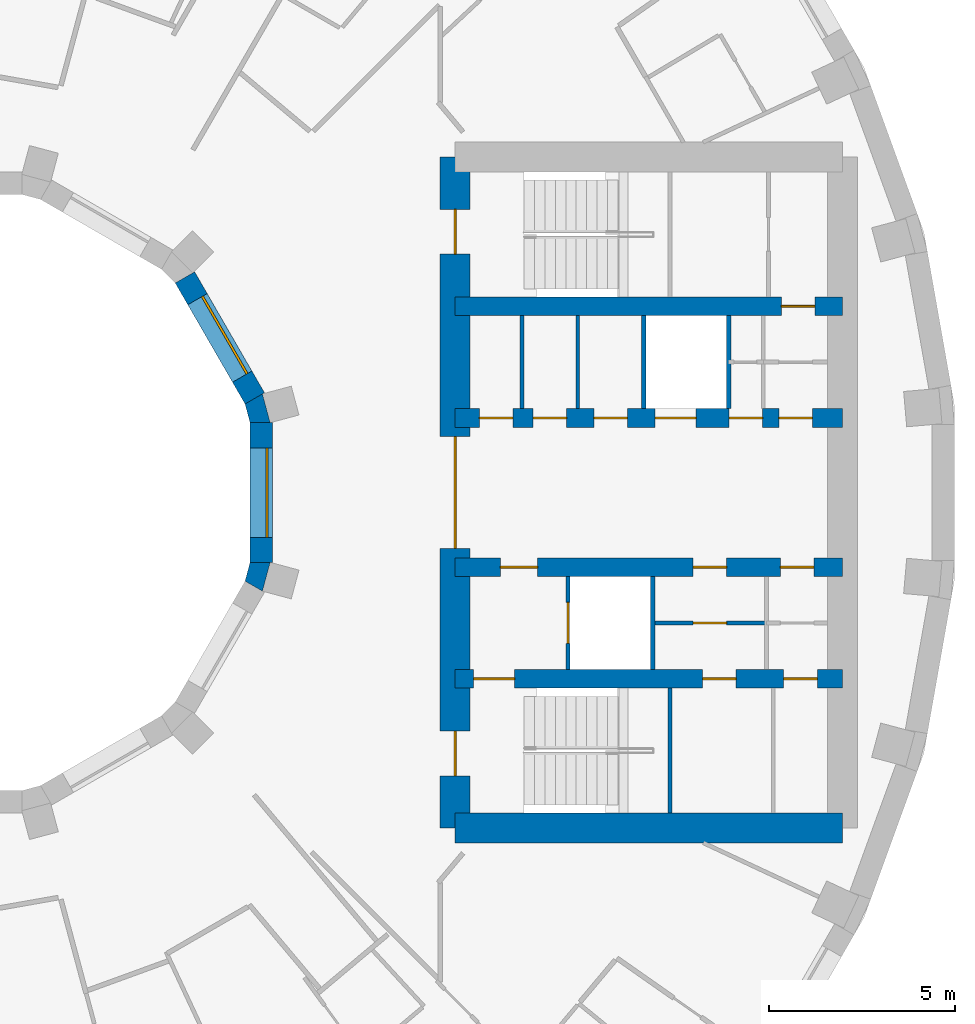
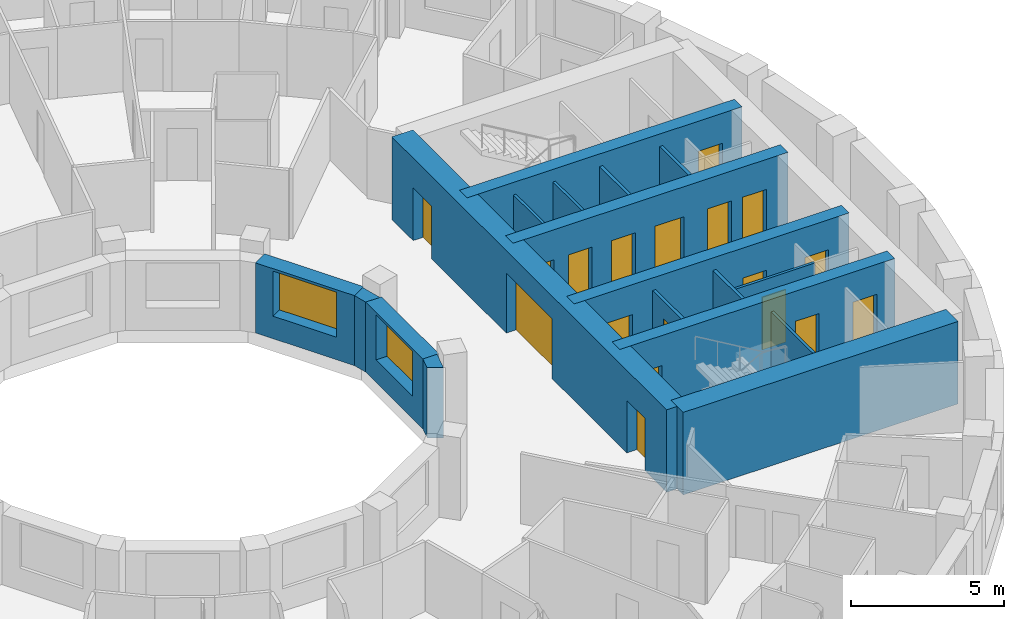
# One storey, part 9 of 16: 18 doors, 18 walls, 2 windows, 20 openings.
"""IFC4 building model written with IfcOpenShell, lengths in metres."""

from ifc_helpers import new_model, si_unit, direction, frame, frame_2d, origin, place, context, subcontext, project, spatial, polyline, rectangle, outline, extrude, material, layer, layer_set, type_object, element, fill, save


model = new_model("IFC4")

# Units and contexts
model_context = context("Model", 3, precision=1e-05, world=origin(), true_north=direction((0.0, 1.0)))
body_context = subcontext(model_context, "Body", "Model", "MODEL_VIEW")
ifc_project = project(units=[si_unit("LENGTHUNIT", "METRE"), si_unit("AREAUNIT", "SQUARE_METRE"), si_unit("VOLUMEUNIT", "CUBIC_METRE"), si_unit("PLANEANGLEUNIT", "RADIAN"), si_unit("MASSUNIT", "GRAM", prefix="KILO")], contexts=[model_context])

# Site, building, storey
site_placement = place(None, origin())
site = spatial("IfcSite", under=ifc_project, at=site_placement, CompositionType="ELEMENT")
building_placement = place(site_placement, origin())
building = spatial("IfcBuilding", under=site, at=building_placement, Name="Saqina Gate Tower", CompositionType="ELEMENT")
storey_placement = place(building_placement, frame((0.0, 0.0, 124.89990234375)))
storey = spatial("IfcBuildingStorey", under=building, at=storey_placement, Name="L35", CompositionType="ELEMENT", Elevation=124.89990234375)

# Walls
ifc_material_1 = material(Name="Gypsum board on steel studs", Category="steel")
ifc_layer_1 = layer(ifc_material_1, 0.10009765625)
ifc_layer_set_1 = layer_set([ifc_layer_1], Name="CORE PARTITION")
wall_type_1 = type_object("IfcWallType", Name="CORE PARTITION", PredefinedType="PARTITIONING", material=ifc_layer_set_1)
for number, where, z_axis, x_axis, name in (
    (1, (15.298095703125, 2.25, 0.0), (0.0, 0.0, 1.0), (0.0, 1.0, 0.0), "L35-CP-E01"),
    (2, (16.789306640625, 2.25, 0.0), (0.0, 0.0, 1.0), (0.0, 1.0, 0.0), "L35-CP-E02"),
):
    element("IfcWall", number, at=place(storey_placement, frame(where, z_axis=z_axis, x_axis=x_axis)), inside=storey, type_object=wall_type_1, Name=name, PredefinedType="PARTITIONING", context=body_context, shape_type="SweptSolid", body=[
        extrude(rectangle(XDim=2.5, YDim=0.10009765625, at=frame_2d((1.25, 0.0))), origin(), (0.0, 0.0, 1.0), 2.800048828125),
    ])

# Wall, opening, door
wall_1_placement = place(storey_placement, frame((18.81005859375, -3.5, 0.0), z_axis=(0.0, 0.0, 1.0), x_axis=(1.0, 0.0, 0.0)))
wall_1 = element("IfcWall", 3, at=wall_1_placement, inside=storey, type_object=wall_type_1, Name="L35-CP-E11", PredefinedType="PARTITIONING", context=body_context, shape_type="SweptSolid", body=[
    extrude(rectangle(XDim=3.04833984375, YDim=0.10009765625, at=frame_2d((1.524169921875, 0.0))), origin(), (0.0, 0.0, 1.0), 2.800048828125),
])
opening_1_placement = place(wall_1_placement, frame((1.07421875, 0.0, 0.0)))
opening_1 = element("IfcOpeningElement", 4, at=opening_1_placement, cuts=wall_1, Name="Opening G10-D103", PredefinedType="OPENING", context=body_context, shape_type="SweptSolid", body=[
    extrude(rectangle(XDim=0.89990234375, YDim=2.10009765625, at=frame_2d((0.449951171875, 1.050048828125))), frame((0.0, 0.06201171875, 0.0), z_axis=(0.0, -1.0, 0.0), x_axis=(1.0, 0.0, 0.0)), (0.0, 0.0, 1.0), 0.1240234375),
])
ifc_material_2 = material(Name="Steel-framed fire door leaf, EI 60", Category="steel")
door_type_1 = type_object("IfcDoorType", Name="SERVICE ROOM DOOR 900", OperationType="SINGLE_SWING_LEFT", PredefinedType="DOOR", material=ifc_material_2)
door_1_placement = place(opening_1_placement, frame((0.89990234375, 0.0, 0.0), z_axis=(0.0, 0.0, 1.0), x_axis=(-1.0, 0.0, 0.0)))
door_1 = element("IfcDoor", 5, at=door_1_placement, inside=storey, type_object=door_type_1, Name="L35-CD-E14", OperationType="SINGLE_SWING_RIGHT", OverallHeight=2.10009765625, OverallWidth=0.89990234375, PredefinedType="DOOR", context=body_context, shape_type="SweptSolid", body=[
    extrude(rectangle(XDim=0.89990234375, YDim=2.10009765625, at=frame_2d((0.449951171875, 1.050048828125))), frame((0.0, 0.02490234375, 0.0), z_axis=(0.0, -1.0, 0.0), x_axis=(1.0, 0.0, 0.0)), (0.0, 0.0, 1.0), 0.050048828125),
])
fill(opening_1, door_1)

# Wall, opening, window
ifc_material_3 = material(Name="Glazed ceramic tile", Category="ceramic")
ifc_layer_2 = layer(ifc_material_3, 0.60009765625)
ifc_layer_set_2 = layer_set([ifc_layer_2], Name="IW-TILE")
wall_type_2 = type_object("IfcWallType", Name="IW-TILE", PredefinedType="SOLIDWALL", material=ifc_layer_set_2)
wall_2_placement = place(storey_placement, frame((8.124755859375, 2.52734375, 0.0), z_axis=(0.0, 0.0, 1.0), x_axis=(-0.499964958637, 0.86604563398, 0.0)))
wall_2 = element("IfcWall", 6, at=wall_2_placement, inside=storey, type_object=wall_type_2, Name="Well wall L35 facet 1", PredefinedType="SOLIDWALL", context=body_context, shape_type="SweptSolid", body=[
    extrude(rectangle(XDim=3.747314453125, YDim=0.60009765625, at=frame_2d((1.87353515625, 0.0))), origin(), (0.0, 0.0, 1.0), 2.800048828125),
])
opening_2_placement = place(wall_2_placement, frame((0.673583984375, 0.0, 0.89990234375)))
opening_2 = element("IfcOpeningElement", 7, at=opening_2_placement, cuts=wall_2, Name="Opening G10-W23", PredefinedType="OPENING", context=body_context, shape_type="SweptSolid", body=[
    extrude(rectangle(XDim=2.39990234375, YDim=1.800048828125, at=frame_2d((1.199951171875, 0.89990234375))), frame((0.0, 0.31201171875, 0.0), z_axis=(0.0, -1.0, 0.0), x_axis=(1.0, 0.0, 0.0)), (0.0, 0.0, 1.0), 0.6240234375),
])
ifc_material_4 = material(Name="Aluminium glazing", Category="aluminium")
window_type = type_object("IfcWindowType", Name="WN-W", PartitioningType="SINGLE_PANEL", PredefinedType="WINDOW", material=ifc_material_4)
window_1_placement = place(opening_2_placement, origin())
window_1 = element("IfcWindow", 8, at=window_1_placement, inside=storey, type_object=window_type, Name="Well window L35 facet 1", OverallHeight=1.800048828125, OverallWidth=2.39990234375, PartitioningType="SINGLE_PANEL", PredefinedType="WINDOW", context=body_context, shape_type="SweptSolid", body=[
    extrude(rectangle(XDim=2.39990234375, YDim=1.800048828125, at=frame_2d((1.199951171875, 0.89990234375))), frame((0.0, -0.119873046875, 0.0), z_axis=(0.0, -1.0, 0.0), x_axis=(1.0, 0.0, 0.0)), (0.0, 0.0, 1.0), 0.06005859375),
])
fill(opening_2, window_1)

wall_3_placement = place(storey_placement, frame((8.300048828125, -1.873779296875, 0.0), z_axis=(0.0, 0.0, 1.0), x_axis=(0.0, 1.0, 0.0)))
wall_3 = element("IfcWall", 9, at=wall_3_placement, inside=storey, type_object=wall_type_2, Name="Well wall L35 facet 12", PredefinedType="SOLIDWALL", context=body_context, shape_type="SweptSolid", body=[
    extrude(rectangle(XDim=3.74755859375, YDim=0.60009765625, at=frame_2d((1.873779296875, 0.0))), origin(), (0.0, 0.0, 1.0), 2.800048828125),
])
opening_3_placement = place(wall_3_placement, frame((0.673583984375, 0.0, 0.89990234375)))
opening_3 = element("IfcOpeningElement", 10, at=opening_3_placement, cuts=wall_3, Name="Opening G10-W34", PredefinedType="OPENING", context=body_context, shape_type="SweptSolid", body=[
    extrude(rectangle(XDim=2.39990234375, YDim=1.800048828125, at=frame_2d((1.199951171875, 0.89990234375))), frame((0.0, 0.31201171875, 0.0), z_axis=(0.0, -1.0, 0.0), x_axis=(1.0, 0.0, 0.0)), (0.0, 0.0, 1.0), 0.6240234375),
])
window_2_placement = place(opening_3_placement, origin())
window_2 = element("IfcWindow", 11, at=window_2_placement, inside=storey, type_object=window_type, Name="Well window L35 facet 12", OverallHeight=1.800048828125, OverallWidth=2.39990234375, PartitioningType="SINGLE_PANEL", PredefinedType="WINDOW", context=body_context, shape_type="SweptSolid", body=[
    extrude(rectangle(XDim=2.39990234375, YDim=1.800048828125, at=frame_2d((1.199951171875, 0.89990234375))), frame((0.0, -0.119873046875, 0.0), z_axis=(0.0, -1.0, 0.0), x_axis=(1.0, 0.0, 0.0)), (0.0, 0.0, 1.0), 0.06005859375),
])
fill(opening_3, window_2)

# Walls
ifc_material_5 = material(Name="Autoclaved aerated concrete block", Category="concrete")
ifc_layer_3 = layer(ifc_material_5, 0.1201171875)
ifc_layer_set_3 = layer_set([ifc_layer_3], Name="SHAFT PARTITION")
wall_type_3 = type_object("IfcWallType", Name="SHAFT PARTITION", PredefinedType="PARTITIONING", material=ifc_layer_set_3)
for number, where, z_axis, x_axis, name in (
    (12, (18.56005859375, 2.25, 0.0), (0.0, 0.0, 1.0), (0.0, 1.0, 0.0), "L35-CP-E03"),
    (13, (20.840087890625, 2.25, 0.0), (0.0, 0.0, 1.0), (0.0, 1.0, 0.0), "L35-CP-E04"),
):
    element("IfcWall", number, at=place(storey_placement, frame(where, z_axis=z_axis, x_axis=x_axis)), inside=storey, type_object=wall_type_3, Name=name, PredefinedType="PARTITIONING", context=body_context, shape_type="SweptSolid", body=[
        extrude(rectangle(XDim=2.5, YDim=0.1201171875, at=frame_2d((1.25, 0.0))), origin(), (0.0, 0.0, 1.0), 2.800048828125),
    ])

# Wall, opening, door
wall_4_placement = place(storey_placement, frame((16.530029296875, -4.75, 0.0), z_axis=(0.0, 0.0, 1.0), x_axis=(0.0, 1.0, 0.0)))
wall_4 = element("IfcWall", 14, at=wall_4_placement, inside=storey, type_object=wall_type_3, Name="L35-CP-E06", PredefinedType="PARTITIONING", context=body_context, shape_type="SweptSolid", body=[
    extrude(rectangle(XDim=2.5, YDim=0.1201171875, at=frame_2d((1.25, 0.0))), origin(), (0.0, 0.0, 1.0), 2.800048828125),
])
opening_4_placement = place(wall_4_placement, frame((0.699951171875, 0.0, 0.0)))
opening_4 = element("IfcOpeningElement", 15, at=opening_4_placement, cuts=wall_4, Name="Opening G10-LD2", PredefinedType="OPENING", context=body_context, shape_type="SweptSolid", body=[
    extrude(rectangle(XDim=1.10009765625, YDim=2.10009765625, at=frame_2d((0.550048828125, 1.050048828125))), frame((0.0, 0.072021484375, 0.0), z_axis=(0.0, -1.0, 0.0), x_axis=(1.0, 0.0, 0.0)), (0.0, 0.0, 1.0), 0.14404296875),
])
ifc_material_6 = material(Name="Stainless steel", Category="steel")
door_type_2 = type_object("IfcDoorType", Name="LANDING DOOR", OperationType="DOUBLE_DOOR_SLIDING", PredefinedType="DOOR", material=ifc_material_6)
door_2_placement = place(opening_4_placement, origin())
door_2 = element("IfcDoor", 16, at=door_2_placement, inside=storey, type_object=door_type_2, Name="LANDING DOOR FF1", OperationType="DOUBLE_DOOR_SLIDING", OverallHeight=2.10009765625, OverallWidth=1.10009765625, PredefinedType="DOOR", context=body_context, shape_type="SweptSolid", body=[
    extrude(rectangle(XDim=1.10009765625, YDim=2.10009765625, at=frame_2d((0.550048828125, 1.050048828125))), frame((0.0, 0.02490234375, 0.0), z_axis=(0.0, -1.0, 0.0), x_axis=(1.0, 0.0, 0.0)), (0.0, 0.0, 1.0), 0.050048828125),
])
fill(opening_4, door_2)

# Walls
wall_5_placement = place(storey_placement, frame((18.81005859375, -4.75, 0.0), z_axis=(0.0, 0.0, 1.0), x_axis=(0.0, 1.0, 0.0)))
element("IfcWall", 17, at=wall_5_placement, inside=storey, type_object=wall_type_3, Name="L35-CP-E07", PredefinedType="PARTITIONING", context=body_context, shape_type="SweptSolid", body=[
    extrude(rectangle(XDim=2.5, YDim=0.1201171875, at=frame_2d((1.25, 0.0))), origin(), (0.0, 0.0, 1.0), 2.800048828125),
])
ifc_material_7 = material(Name="Autoclaved aerated concrete block", Category="concrete")
ifc_layer_4 = layer(ifc_material_7, 0.10009765625)
ifc_layer_set_4 = layer_set([ifc_layer_4], Name="STAIR ENCLOSURE WALL")
wall_type_4 = type_object("IfcWallType", Name="STAIR ENCLOSURE WALL", PredefinedType="PARTITIONING", material=ifc_layer_set_4)
wall_6_placement = place(storey_placement, frame((19.27001953125, -8.60009765625, 0.0), z_axis=(0.0, 0.0, 1.0), x_axis=(0.0, 1.0, 0.0)))
element("IfcWall", 18, at=wall_6_placement, inside=storey, type_object=wall_type_4, Name="L35-CP-E15", PredefinedType="PARTITIONING", context=body_context, shape_type="SweptSolid", body=[
    extrude(rectangle(XDim=3.35009765625, YDim=0.10009765625, at=frame_2d((1.675048828125, 0.0))), origin(), (0.0, 0.0, 1.0), 2.800048828125),
])

# Wall, opening, door
ifc_material_8 = material(Name="Concrete C70/85", Category="concrete")
ifc_layer_5 = layer(ifc_material_8, 0.5)
ifc_layer_set_5 = layer_set([ifc_layer_5], Name="Concrete C70/85")
wall_type_5 = type_object("IfcWallType", Name="STR-CORE WALL-B-I", PredefinedType="SHEAR", material=ifc_layer_set_5)
wall_7_placement = place(storey_placement, frame((13.5, 5.0, 0.0), z_axis=(0.0, 0.0, 1.0), x_axis=(1.0, 0.0, 0.0)))
wall_7 = element("IfcWall", 19, at=wall_7_placement, inside=storey, type_object=wall_type_5, Name="CORE WALL L35 E-X1", PredefinedType="SHEAR", context=body_context, shape_type="SweptSolid", body=[
    extrude(rectangle(XDim=10.39990234375, YDim=0.5, at=frame_2d((5.199951171875, 0.0))), origin(), (0.0, 0.0, 1.0), 3.300048828125),
])
opening_5_placement = place(wall_7_placement, frame((8.755859375, 0.0, 0.0)))
opening_5 = element("IfcOpeningElement", 20, at=opening_5_placement, cuts=wall_7, Name="Opening G10-D101", PredefinedType="OPENING", context=body_context, shape_type="SweptSolid", body=[
    extrude(rectangle(XDim=0.89990234375, YDim=2.10009765625, at=frame_2d((0.449951171875, 1.050048828125))), frame((0.0, 0.261962890625, 0.0), z_axis=(0.0, -1.0, 0.0), x_axis=(1.0, 0.0, 0.0)), (0.0, 0.0, 1.0), 0.52392578125),
])
door_3_placement = place(opening_5_placement, origin())
door_3 = element("IfcDoor", 21, at=door_3_placement, inside=storey, type_object=door_type_1, Name="L35-CD-E12", OperationType="SINGLE_SWING_RIGHT", OverallHeight=2.10009765625, OverallWidth=0.89990234375, PredefinedType="DOOR", context=body_context, shape_type="SweptSolid", body=[
    extrude(rectangle(XDim=0.89990234375, YDim=2.10009765625, at=frame_2d((0.449951171875, 1.050048828125))), frame((0.0, 0.02490234375, 0.0), z_axis=(0.0, -1.0, 0.0), x_axis=(1.0, 0.0, 0.0)), (0.0, 0.0, 1.0), 0.050048828125),
])
fill(opening_5, door_3)

# Wall, openings, doors
wall_8_placement = place(storey_placement, frame((13.5, -5.0, 0.0), z_axis=(0.0, 0.0, 1.0), x_axis=(1.0, 0.0, 0.0)))
wall_8 = element("IfcWall", 22, at=wall_8_placement, inside=storey, type_object=wall_type_5, Name="CORE WALL L35 E-X2", PredefinedType="SHEAR", context=body_context, shape_type="SweptSolid", body=[
    extrude(rectangle(XDim=10.39990234375, YDim=0.5, at=frame_2d((5.199951171875, 0.0))), origin(), (0.0, 0.0, 1.0), 3.300048828125),
])
opening_6_placement = place(wall_8_placement, frame((6.63916015625, 0.0, 0.0)))
opening_6 = element("IfcOpeningElement", 23, at=opening_6_placement, cuts=wall_8, Name="Opening G10-D104", PredefinedType="OPENING", context=body_context, shape_type="SweptSolid", body=[
    extrude(rectangle(XDim=0.89990234375, YDim=2.10009765625, at=frame_2d((0.449951171875, 1.050048828125))), frame((0.0, 0.261962890625, 0.0), z_axis=(0.0, -1.0, 0.0), x_axis=(1.0, 0.0, 0.0)), (0.0, 0.0, 1.0), 0.52392578125),
])
opening_7_placement = place(wall_8_placement, frame((8.818603515625, 0.0, 0.0)))
opening_7 = element("IfcOpeningElement", 24, at=opening_7_placement, cuts=wall_8, Name="Opening G10-D105", PredefinedType="OPENING", context=body_context, shape_type="SweptSolid", body=[
    extrude(rectangle(XDim=0.89990234375, YDim=2.10009765625, at=frame_2d((0.449951171875, 1.050048828125))), frame((0.0, 0.261962890625, 0.0), z_axis=(0.0, -1.0, 0.0), x_axis=(1.0, 0.0, 0.0)), (0.0, 0.0, 1.0), 0.52392578125),
])
opening_8_placement = place(wall_8_placement, frame((0.5, 0.0, 0.0)))
opening_8 = element("IfcOpeningElement", 25, at=opening_8_placement, cuts=wall_8, Name="Opening G10-D106", PredefinedType="OPENING", context=body_context, shape_type="SweptSolid", body=[
    extrude(rectangle(XDim=1.10009765625, YDim=2.10009765625, at=frame_2d((0.550048828125, 1.050048828125))), frame((0.0, 0.261962890625, 0.0), z_axis=(0.0, -1.0, 0.0), x_axis=(1.0, 0.0, 0.0)), (0.0, 0.0, 1.0), 0.52392578125),
])
ifc_material_9 = material(Name="Steel", Category="steel")
door_type_3 = type_object("IfcDoorType", Name="FIRE LOBBY DOOR EI 60 WIDE", OperationType="SINGLE_SWING_LEFT", PredefinedType="DOOR", material=ifc_material_9)
door_4_placement = place(opening_8_placement, frame((1.10009765625, 0.0, 0.0), z_axis=(0.0, 0.0, 1.0), x_axis=(-1.0, 0.0, 0.0)))
door_4 = element("IfcDoor", 26, at=door_4_placement, inside=storey, type_object=door_type_3, Name="L35-CD-E17", OperationType="SINGLE_SWING_RIGHT", OverallHeight=2.10009765625, OverallWidth=1.10009765625, PredefinedType="DOOR", context=body_context, shape_type="SweptSolid", body=[
    extrude(rectangle(XDim=1.10009765625, YDim=2.10009765625, at=frame_2d((0.550048828125, 1.050048828125))), frame((0.0, 0.02490234375, 0.0), z_axis=(0.0, -1.0, 0.0), x_axis=(1.0, 0.0, 0.0)), (0.0, 0.0, 1.0), 0.050048828125),
])
fill(opening_8, door_4)
door_5_placement = place(opening_6_placement, frame((0.89990234375, 0.0, 0.0), z_axis=(0.0, 0.0, 1.0), x_axis=(-1.0, 0.0, 0.0)))
door_5 = element("IfcDoor", 27, at=door_5_placement, inside=storey, type_object=door_type_1, Name="L35-CD-E15", OperationType="SINGLE_SWING_LEFT", OverallHeight=2.10009765625, OverallWidth=0.89990234375, PredefinedType="DOOR", context=body_context, shape_type="SweptSolid", body=[
    extrude(rectangle(XDim=0.89990234375, YDim=2.10009765625, at=frame_2d((0.449951171875, 1.050048828125))), frame((0.0, 0.02490234375, 0.0), z_axis=(0.0, -1.0, 0.0), x_axis=(1.0, 0.0, 0.0)), (0.0, 0.0, 1.0), 0.050048828125),
])
fill(opening_6, door_5)
door_6_placement = place(opening_7_placement, frame((0.89990234375, 0.0, 0.0), z_axis=(0.0, 0.0, 1.0), x_axis=(-1.0, 0.0, 0.0)))
door_6 = element("IfcDoor", 28, at=door_6_placement, inside=storey, type_object=door_type_1, Name="L35-CD-E16", OperationType="SINGLE_SWING_LEFT", OverallHeight=2.10009765625, OverallWidth=0.89990234375, PredefinedType="DOOR", context=body_context, shape_type="SweptSolid", body=[
    extrude(rectangle(XDim=0.89990234375, YDim=2.10009765625, at=frame_2d((0.449951171875, 1.050048828125))), frame((0.0, 0.02490234375, 0.0), z_axis=(0.0, -1.0, 0.0), x_axis=(1.0, 0.0, 0.0)), (0.0, 0.0, 1.0), 0.050048828125),
])
fill(opening_7, door_6)

wall_9_placement = place(storey_placement, frame((13.5, 2.0, 0.0), z_axis=(0.0, 0.0, 1.0), x_axis=(1.0, 0.0, 0.0)))
wall_9 = element("IfcWall", 29, at=wall_9_placement, inside=storey, type_object=wall_type_5, Name="CORE WALL L35 E-L1", PredefinedType="SHEAR", context=body_context, shape_type="SweptSolid", body=[
    extrude(rectangle(XDim=10.39990234375, YDim=0.5, at=frame_2d((5.199951171875, 0.0))), origin(), (0.0, 0.0, 1.0), 3.300048828125),
])
opening_9_placement = place(wall_9_placement, frame((5.3701171875, 0.0, 0.0)))
opening_9 = element("IfcOpeningElement", 30, at=opening_9_placement, cuts=wall_9, Name="Opening G10-LD1", PredefinedType="OPENING", context=body_context, shape_type="SweptSolid", body=[
    extrude(rectangle(XDim=1.10009765625, YDim=2.10009765625, at=frame_2d((0.550048828125, 1.050048828125))), frame((0.0, 0.261962890625, 0.0), z_axis=(0.0, -1.0, 0.0), x_axis=(1.0, 0.0, 0.0)), (0.0, 0.0, 1.0), 0.52392578125),
])
opening_10_placement = place(wall_9_placement, frame((0.64892578125, 0.0, 0.0)))
opening_10 = element("IfcOpeningElement", 31, at=opening_10_placement, cuts=wall_9, Name="Opening G10-D90", PredefinedType="OPENING", context=body_context, shape_type="SweptSolid", body=[
    extrude(rectangle(XDim=0.89990234375, YDim=2.10009765625, at=frame_2d((0.449951171875, 1.050048828125))), frame((0.0, 0.261962890625, 0.0), z_axis=(0.0, -1.0, 0.0), x_axis=(1.0, 0.0, 0.0)), (0.0, 0.0, 1.0), 0.52392578125),
])
opening_11_placement = place(wall_9_placement, frame((2.093505859375, 0.0, 0.0)))
opening_11 = element("IfcOpeningElement", 32, at=opening_11_placement, cuts=wall_9, Name="Opening G10-D91", PredefinedType="OPENING", context=body_context, shape_type="SweptSolid", body=[
    extrude(rectangle(XDim=0.89990234375, YDim=2.10009765625, at=frame_2d((0.449951171875, 1.050048828125))), frame((0.0, 0.261962890625, 0.0), z_axis=(0.0, -1.0, 0.0), x_axis=(1.0, 0.0, 0.0)), (0.0, 0.0, 1.0), 0.52392578125),
])
opening_12_placement = place(wall_9_placement, frame((3.724609375, 0.0, 0.0)))
opening_12 = element("IfcOpeningElement", 33, at=opening_12_placement, cuts=wall_9, Name="Opening G10-D92", PredefinedType="OPENING", context=body_context, shape_type="SweptSolid", body=[
    extrude(rectangle(XDim=0.89990234375, YDim=2.10009765625, at=frame_2d((0.449951171875, 1.050048828125))), frame((0.0, 0.261962890625, 0.0), z_axis=(0.0, -1.0, 0.0), x_axis=(1.0, 0.0, 0.0)), (0.0, 0.0, 1.0), 0.52392578125),
])
opening_13_placement = place(wall_9_placement, frame((7.35546875, 0.0, 0.0)))
opening_13 = element("IfcOpeningElement", 34, at=opening_13_placement, cuts=wall_9, Name="Opening G10-D93", PredefinedType="OPENING", context=body_context, shape_type="SweptSolid", body=[
    extrude(rectangle(XDim=0.89990234375, YDim=2.10009765625, at=frame_2d((0.449951171875, 1.050048828125))), frame((0.0, 0.261962890625, 0.0), z_axis=(0.0, -1.0, 0.0), x_axis=(1.0, 0.0, 0.0)), (0.0, 0.0, 1.0), 0.52392578125),
])
opening_14_placement = place(wall_9_placement, frame((8.685546875, 0.0, 0.0)))
opening_14 = element("IfcOpeningElement", 35, at=opening_14_placement, cuts=wall_9, Name="Opening G10-D94", PredefinedType="OPENING", context=body_context, shape_type="SweptSolid", body=[
    extrude(rectangle(XDim=0.89990234375, YDim=2.10009765625, at=frame_2d((0.449951171875, 1.050048828125))), frame((0.0, 0.261962890625, 0.0), z_axis=(0.0, -1.0, 0.0), x_axis=(1.0, 0.0, 0.0)), (0.0, 0.0, 1.0), 0.52392578125),
])
door_7_placement = place(opening_9_placement, origin())
door_7 = element("IfcDoor", 36, at=door_7_placement, inside=storey, type_object=door_type_2, Name="LANDING DOOR MR1", OperationType="DOUBLE_DOOR_SLIDING", OverallHeight=2.10009765625, OverallWidth=1.10009765625, PredefinedType="DOOR", context=body_context, shape_type="SweptSolid", body=[
    extrude(rectangle(XDim=1.10009765625, YDim=2.10009765625, at=frame_2d((0.550048828125, 1.050048828125))), frame((0.0, 0.02490234375, 0.0), z_axis=(0.0, -1.0, 0.0), x_axis=(1.0, 0.0, 0.0)), (0.0, 0.0, 1.0), 0.050048828125),
])
fill(opening_9, door_7)
door_8_placement = place(opening_10_placement, origin())
door_8 = element("IfcDoor", 37, at=door_8_placement, inside=storey, type_object=door_type_1, Name="L35-CD-E01", OperationType="SINGLE_SWING_LEFT", OverallHeight=2.10009765625, OverallWidth=0.89990234375, PredefinedType="DOOR", context=body_context, shape_type="SweptSolid", body=[
    extrude(rectangle(XDim=0.89990234375, YDim=2.10009765625, at=frame_2d((0.449951171875, 1.050048828125))), frame((0.0, 0.02490234375, 0.0), z_axis=(0.0, -1.0, 0.0), x_axis=(1.0, 0.0, 0.0)), (0.0, 0.0, 1.0), 0.050048828125),
])
fill(opening_10, door_8)
door_9_placement = place(opening_11_placement, origin())
door_9 = element("IfcDoor", 38, at=door_9_placement, inside=storey, type_object=door_type_1, Name="L35-CD-E02", OperationType="SINGLE_SWING_LEFT", OverallHeight=2.10009765625, OverallWidth=0.89990234375, PredefinedType="DOOR", context=body_context, shape_type="SweptSolid", body=[
    extrude(rectangle(XDim=0.89990234375, YDim=2.10009765625, at=frame_2d((0.449951171875, 1.050048828125))), frame((0.0, 0.02490234375, 0.0), z_axis=(0.0, -1.0, 0.0), x_axis=(1.0, 0.0, 0.0)), (0.0, 0.0, 1.0), 0.050048828125),
])
fill(opening_11, door_9)
door_10_placement = place(opening_12_placement, origin())
door_10 = element("IfcDoor", 39, at=door_10_placement, inside=storey, type_object=door_type_1, Name="L35-CD-E03", OperationType="SINGLE_SWING_RIGHT", OverallHeight=2.10009765625, OverallWidth=0.89990234375, PredefinedType="DOOR", context=body_context, shape_type="SweptSolid", body=[
    extrude(rectangle(XDim=0.89990234375, YDim=2.10009765625, at=frame_2d((0.449951171875, 1.050048828125))), frame((0.0, 0.02490234375, 0.0), z_axis=(0.0, -1.0, 0.0), x_axis=(1.0, 0.0, 0.0)), (0.0, 0.0, 1.0), 0.050048828125),
])
fill(opening_12, door_10)
door_11_placement = place(opening_13_placement, origin())
door_11 = element("IfcDoor", 40, at=door_11_placement, inside=storey, type_object=door_type_1, Name="L35-CD-E04", OperationType="SINGLE_SWING_LEFT", OverallHeight=2.10009765625, OverallWidth=0.89990234375, PredefinedType="DOOR", context=body_context, shape_type="SweptSolid", body=[
    extrude(rectangle(XDim=0.89990234375, YDim=2.10009765625, at=frame_2d((0.449951171875, 1.050048828125))), frame((0.0, 0.02490234375, 0.0), z_axis=(0.0, -1.0, 0.0), x_axis=(1.0, 0.0, 0.0)), (0.0, 0.0, 1.0), 0.050048828125),
])
fill(opening_13, door_11)
door_12_placement = place(opening_14_placement, origin())
door_12 = element("IfcDoor", 41, at=door_12_placement, inside=storey, type_object=door_type_1, Name="L35-CD-E05", OperationType="SINGLE_SWING_RIGHT", OverallHeight=2.10009765625, OverallWidth=0.89990234375, PredefinedType="DOOR", context=body_context, shape_type="SweptSolid", body=[
    extrude(rectangle(XDim=0.89990234375, YDim=2.10009765625, at=frame_2d((0.449951171875, 1.050048828125))), frame((0.0, 0.02490234375, 0.0), z_axis=(0.0, -1.0, 0.0), x_axis=(1.0, 0.0, 0.0)), (0.0, 0.0, 1.0), 0.050048828125),
])
fill(opening_14, door_12)

wall_10_placement = place(storey_placement, frame((13.5, -2.0, 0.0), z_axis=(0.0, 0.0, 1.0), x_axis=(1.0, 0.0, 0.0)))
wall_10 = element("IfcWall", 42, at=wall_10_placement, inside=storey, type_object=wall_type_5, Name="CORE WALL L35 E-L2", PredefinedType="SHEAR", context=body_context, shape_type="SweptSolid", body=[
    extrude(rectangle(XDim=10.39990234375, YDim=0.5, at=frame_2d((5.199951171875, 0.0))), origin(), (0.0, 0.0, 1.0), 3.300048828125),
])
opening_15_placement = place(wall_10_placement, frame((1.215087890625, 0.0, 0.0)))
opening_15 = element("IfcOpeningElement", 43, at=opening_15_placement, cuts=wall_10, Name="Opening G10-D95", PredefinedType="OPENING", context=body_context, shape_type="SweptSolid", body=[
    extrude(rectangle(XDim=1.0, YDim=2.10009765625, at=frame_2d((0.5, 1.050048828125))), frame((0.0, 0.261962890625, 0.0), z_axis=(0.0, -1.0, 0.0), x_axis=(1.0, 0.0, 0.0)), (0.0, 0.0, 1.0), 0.52392578125),
])
opening_16_placement = place(wall_10_placement, frame((6.38427734375, 0.0, 0.0)))
opening_16 = element("IfcOpeningElement", 44, at=opening_16_placement, cuts=wall_10, Name="Opening G10-D96", PredefinedType="OPENING", context=body_context, shape_type="SweptSolid", body=[
    extrude(rectangle(XDim=0.89990234375, YDim=2.10009765625, at=frame_2d((0.449951171875, 1.050048828125))), frame((0.0, 0.261962890625, 0.0), z_axis=(0.0, -1.0, 0.0), x_axis=(1.0, 0.0, 0.0)), (0.0, 0.0, 1.0), 0.52392578125),
])
opening_17_placement = place(wall_10_placement, frame((8.729248046875, 0.0, 0.0)))
opening_17 = element("IfcOpeningElement", 45, at=opening_17_placement, cuts=wall_10, Name="Opening G10-D97", PredefinedType="OPENING", context=body_context, shape_type="SweptSolid", body=[
    extrude(rectangle(XDim=0.89990234375, YDim=2.10009765625, at=frame_2d((0.449951171875, 1.050048828125))), frame((0.0, 0.261962890625, 0.0), z_axis=(0.0, -1.0, 0.0), x_axis=(1.0, 0.0, 0.0)), (0.0, 0.0, 1.0), 0.52392578125),
])
ifc_material_10 = material(Name="Steel", Category="steel")
door_type_4 = type_object("IfcDoorType", Name="FIRE LOBBY DOOR EI 60", OperationType="SINGLE_SWING_LEFT", PredefinedType="DOOR", material=ifc_material_10)
door_13_placement = place(opening_15_placement, origin())
door_13 = element("IfcDoor", 46, at=door_13_placement, inside=storey, type_object=door_type_4, Name="L35-CD-E06", OperationType="SINGLE_SWING_LEFT", OverallHeight=2.10009765625, OverallWidth=1.0, PredefinedType="DOOR", context=body_context, shape_type="SweptSolid", body=[
    extrude(rectangle(XDim=1.0, YDim=2.10009765625, at=frame_2d((0.5, 1.050048828125))), frame((0.0, 0.02490234375, 0.0), z_axis=(0.0, -1.0, 0.0), x_axis=(1.0, 0.0, 0.0)), (0.0, 0.0, 1.0), 0.050048828125),
])
fill(opening_15, door_13)
door_14_placement = place(opening_16_placement, frame((0.89990234375, 0.0, 0.0), z_axis=(0.0, 0.0, 1.0), x_axis=(-1.0, 0.0, 0.0)))
door_14 = element("IfcDoor", 47, at=door_14_placement, inside=storey, type_object=door_type_1, Name="L35-CD-E07", OperationType="SINGLE_SWING_LEFT", OverallHeight=2.10009765625, OverallWidth=0.89990234375, PredefinedType="DOOR", context=body_context, shape_type="SweptSolid", body=[
    extrude(rectangle(XDim=0.89990234375, YDim=2.10009765625, at=frame_2d((0.449951171875, 1.050048828125))), frame((0.0, 0.02490234375, 0.0), z_axis=(0.0, -1.0, 0.0), x_axis=(1.0, 0.0, 0.0)), (0.0, 0.0, 1.0), 0.050048828125),
])
fill(opening_16, door_14)
door_15_placement = place(opening_17_placement, frame((0.89990234375, 0.0, 0.0), z_axis=(0.0, 0.0, 1.0), x_axis=(-1.0, 0.0, 0.0)))
door_15 = element("IfcDoor", 48, at=door_15_placement, inside=storey, type_object=door_type_1, Name="L35-CD-E08", OperationType="SINGLE_SWING_LEFT", OverallHeight=2.10009765625, OverallWidth=0.89990234375, PredefinedType="DOOR", context=body_context, shape_type="SweptSolid", body=[
    extrude(rectangle(XDim=0.89990234375, YDim=2.10009765625, at=frame_2d((0.449951171875, 1.050048828125))), frame((0.0, 0.02490234375, 0.0), z_axis=(0.0, -1.0, 0.0), x_axis=(1.0, 0.0, 0.0)), (0.0, 0.0, 1.0), 0.050048828125),
])
fill(opening_17, door_15)

ifc_material_11 = material(Name="Concrete C70/85", Category="concrete")
ifc_layer_6 = layer(ifc_material_11, 0.800048828125)
ifc_layer_set_6 = layer_set([ifc_layer_6], Name="Concrete C70/85")
wall_type_6 = type_object("IfcWallType", Name="STR-CORE WALL-B-O", PredefinedType="SHEAR", material=ifc_layer_set_6)
wall_11_placement = place(storey_placement, frame((13.5, -9.0, 0.0), z_axis=(0.0, 0.0, 1.0), x_axis=(0.0, 1.0, 0.0)))
wall_11 = element("IfcWall", 49, at=wall_11_placement, inside=storey, type_object=wall_type_6, Name="CORE WALL L35 E-W1", PredefinedType="SHEAR", context=body_context, shape_type="SweptSolid", body=[
    extrude(rectangle(XDim=18.0, YDim=0.800048828125, at=frame_2d((9.0, 0.0))), origin(), (0.0, 0.0, 1.0), 3.300048828125),
])
opening_18_placement = place(wall_11_placement, frame((15.39990234375, 0.0, 0.0)))
opening_18 = element("IfcOpeningElement", 50, at=opening_18_placement, cuts=wall_11, Name="Opening G10-D107", PredefinedType="OPENING", context=body_context, shape_type="SweptSolid", body=[
    extrude(rectangle(XDim=1.199951171875, YDim=2.10009765625, at=frame_2d((0.60009765625, 1.050048828125))), frame((0.0, 0.412109375, 0.0), z_axis=(0.0, -1.0, 0.0), x_axis=(1.0, 0.0, 0.0)), (0.0, 0.0, 1.0), 0.823974609375),
])
opening_19_placement = place(wall_11_placement, frame((1.39990234375, 0.0, 0.0)))
opening_19 = element("IfcOpeningElement", 51, at=opening_19_placement, cuts=wall_11, Name="Opening G10-D108", PredefinedType="OPENING", context=body_context, shape_type="SweptSolid", body=[
    extrude(rectangle(XDim=1.199951171875, YDim=2.10009765625, at=frame_2d((0.60009765625, 1.050048828125))), frame((0.0, 0.412109375, 0.0), z_axis=(0.0, -1.0, 0.0), x_axis=(1.0, 0.0, 0.0)), (0.0, 0.0, 1.0), 0.823974609375),
])
opening_20_placement = place(wall_11_placement, frame((7.5, 0.0, 0.0)))
opening_20 = element("IfcOpeningElement", 52, at=opening_20_placement, cuts=wall_11, Name="Opening G10-D109", PredefinedType="OPENING", context=body_context, shape_type="SweptSolid", body=[
    extrude(rectangle(XDim=3.0, YDim=2.39990234375, at=frame_2d((1.5, 1.199951171875))), frame((0.0, 0.412109375, 0.0), z_axis=(0.0, -1.0, 0.0), x_axis=(1.0, 0.0, 0.0)), (0.0, 0.0, 1.0), 0.823974609375),
])
ifc_material_12 = material(Name="Steel", Category="steel")
door_type_5 = type_object("IfcDoorType", Name="FIRE DOOR EI 60", OperationType="SINGLE_SWING_LEFT", PredefinedType="DOOR", material=ifc_material_12)
door_16_placement = place(opening_18_placement, frame((1.199951171875, 0.0, 0.0), z_axis=(0.0, 0.0, 1.0), x_axis=(-1.0, 0.0, 0.0)))
door_16 = element("IfcDoor", 53, at=door_16_placement, inside=storey, type_object=door_type_5, Name="L35-CD-E18", OperationType="SINGLE_SWING_LEFT", OverallHeight=2.10009765625, OverallWidth=1.199951171875, PredefinedType="DOOR", context=body_context, shape_type="SweptSolid", body=[
    extrude(rectangle(XDim=1.199951171875, YDim=2.10009765625, at=frame_2d((0.60009765625, 1.050048828125))), frame((0.0, 0.02490234375, 0.0), z_axis=(0.0, -1.0, 0.0), x_axis=(1.0, 0.0, 0.0)), (0.0, 0.0, 1.0), 0.050048828125),
])
fill(opening_18, door_16)
door_17_placement = place(opening_19_placement, frame((1.199951171875, 0.0, 0.0), z_axis=(0.0, 0.0, 1.0), x_axis=(-1.0, 0.0, 0.0)))
door_17 = element("IfcDoor", 54, at=door_17_placement, inside=storey, type_object=door_type_5, Name="L35-CD-E19", OperationType="SINGLE_SWING_RIGHT", OverallHeight=2.10009765625, OverallWidth=1.199951171875, PredefinedType="DOOR", context=body_context, shape_type="SweptSolid", body=[
    extrude(rectangle(XDim=1.199951171875, YDim=2.10009765625, at=frame_2d((0.60009765625, 1.050048828125))), frame((0.0, 0.02490234375, 0.0), z_axis=(0.0, -1.0, 0.0), x_axis=(1.0, 0.0, 0.0)), (0.0, 0.0, 1.0), 0.050048828125),
])
fill(opening_19, door_17)
ifc_material_13 = material(Name="Steel and fire-resisting glass", Category="steel")
door_type_6 = type_object("IfcDoorType", Name="LOBBY SCREEN DOOR", OperationType="DOUBLE_DOOR_SLIDING", PredefinedType="DOOR", material=ifc_material_13)
door_18_placement = place(opening_20_placement, origin())
door_18 = element("IfcDoor", 55, at=door_18_placement, inside=storey, type_object=door_type_6, Name="L35-CD-E20", OperationType="DOUBLE_DOOR_SLIDING", OverallHeight=2.39990234375, OverallWidth=3.0, PredefinedType="DOOR", context=body_context, shape_type="SweptSolid", body=[
    extrude(rectangle(XDim=3.0, YDim=2.39990234375, at=frame_2d((1.5, 1.199951171875))), frame((0.0, 0.02490234375, 0.0), z_axis=(0.0, -1.0, 0.0), x_axis=(1.0, 0.0, 0.0)), (0.0, 0.0, 1.0), 0.050048828125),
])
fill(opening_20, door_18)

# Walls
wall_12_placement = place(storey_placement, frame((13.5, -9.0, 0.0), z_axis=(0.0, 0.0, 1.0), x_axis=(1.0, 0.0, 0.0)))
element("IfcWall", 56, at=wall_12_placement, inside=storey, type_object=wall_type_6, Name="CORE WALL L35 E-SE", PredefinedType="SHEAR", context=body_context, shape_type="SweptSolid", body=[
    extrude(rectangle(XDim=10.39990234375, YDim=0.800048828125, at=frame_2d((5.199951171875, 0.0))), origin(), (0.0, 0.0, 1.0), 3.300048828125),
])
ifc_material_14 = material(Name="Glazed ceramic tile", Category="ceramic")
wall_type_7 = type_object("IfcWallType", Name="TILE PIER COPING", PredefinedType="SOLIDWALL", material=ifc_material_14)
wall_13_placement = place(storey_placement, origin())
element("IfcWall", 57, at=wall_13_placement, inside=storey, type_object=wall_type_7, Name="Well pier cap L35 column 1", PredefinedType="SOLIDWALL", context=body_context, shape_type="SweptSolid", body=[
    extrude(outline(polyline([(8.3310546875, 2.646484375), (7.864990234375, 2.377197265625), (8.0, 1.873779296875), (8.5380859375, 1.873779296875), (8.3310546875, 2.646484375)])), origin(), (0.0, 0.0, 1.0), 2.800048828125),
])
wall_14_placement = place(storey_placement, origin())
element("IfcWall", 58, at=wall_14_placement, inside=storey, type_object=wall_type_7, Name="Well pier cap L35 column 12", PredefinedType="SOLIDWALL", context=body_context, shape_type="SweptSolid", body=[
    extrude(outline(polyline([(8.5380859375, -1.873779296875), (8.0, -1.873779296875), (7.864990234375, -2.377197265625), (8.3310546875, -2.646484375), (8.5380859375, -1.873779296875)])), origin(), (0.0, 0.0, 1.0), 2.800048828125),
])

save(model, "model.ifc")
